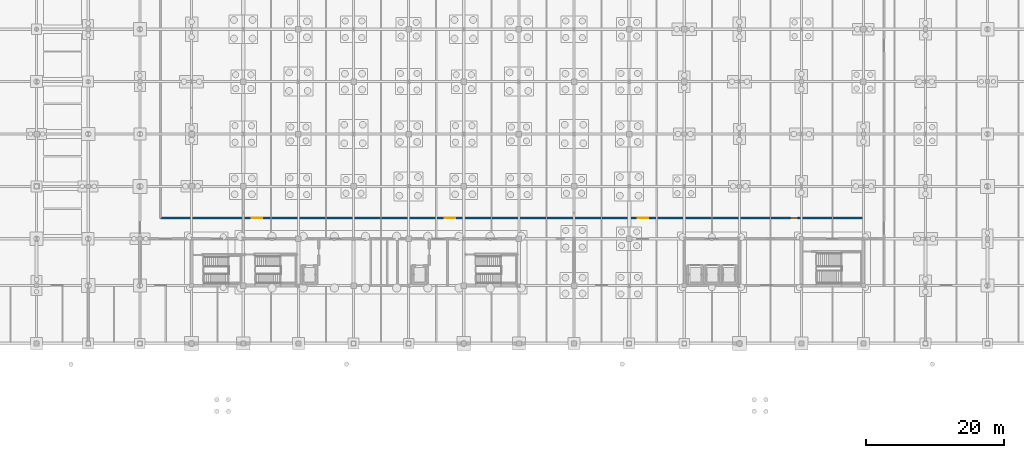
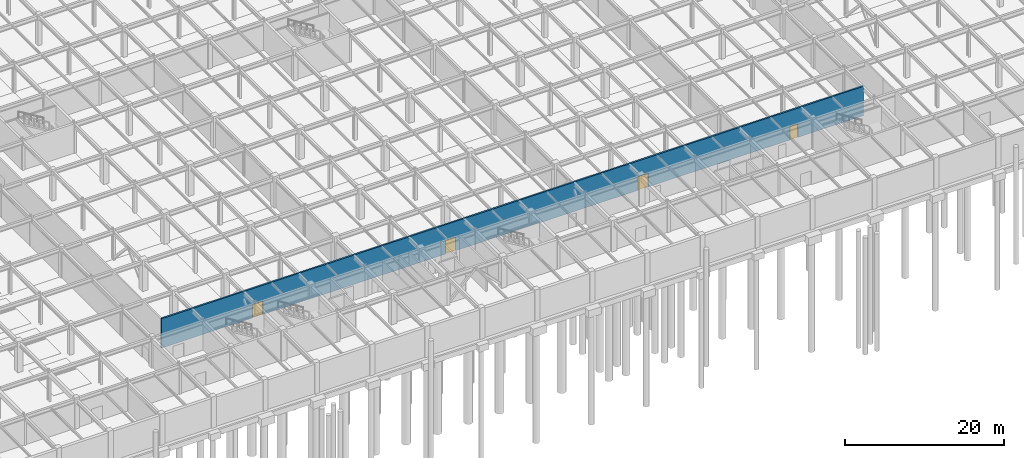
# One storey, part 41 of 53: 4 doors, 1 wall, 4 openings.
"""IFC4 building model written with IfcOpenShell, lengths in metres."""

from ifc_helpers import new_model, si_unit, direction, frame, frame_2d, origin, place, context, subcontext, project, spatial, rectangle, extrude, material, layer, layer_set, type_object, element, fill, save


model = new_model("IFC4")

# Units and contexts
model_context = context("Model", 3, precision=1e-05, world=origin(), true_north=direction((0.0, 1.0)))
body_context = subcontext(model_context, "Body", "Model", "MODEL_VIEW")
ifc_project = project(units=[si_unit("LENGTHUNIT", "METRE"), si_unit("AREAUNIT", "SQUARE_METRE"), si_unit("VOLUMEUNIT", "CUBIC_METRE"), si_unit("PLANEANGLEUNIT", "RADIAN"), si_unit("MASSUNIT", "GRAM", prefix="KILO")], contexts=[model_context])

# Site, building, storey
site_placement = place(None, origin())
site = spatial("IfcSite", under=ifc_project, at=site_placement, CompositionType="ELEMENT")
building_placement = place(site_placement, origin())
building = spatial("IfcBuilding", under=site, at=building_placement, Name="Shalkamar Park Central Library", CompositionType="ELEMENT")
storey_placement = place(building_placement, frame((0.0, 0.0, -4.800048828125)))
storey = spatial("IfcBuildingStorey", under=building, at=storey_placement, Name="B1", CompositionType="ELEMENT", Elevation=-4.800048828125)

# Wall, openings, doors
ifc_material_1 = material(Name="Reinforced fire-compartment masonry wall", Category="masonry")
ifc_layer = layer(ifc_material_1, 0.239990234375)
ifc_layer_set = layer_set([ifc_layer], Name="CompartmentWall_240")
wall_type = type_object("IfcWallType", Name="Compartment Wall 240", PredefinedType="PARTITIONING", material=ifc_layer_set)
wall_placement = place(storey_placement, frame((153.0, 258.199951171875, 0.0), z_axis=(0.0, 0.0, 1.0), x_axis=(1.0, 0.0, 0.0)))
wall = element("IfcWall", 1, at=wall_placement, inside=storey, type_object=wall_type, Name="Interior Partition WL-INT-B1-028", PredefinedType="PARTITIONING", context=body_context, shape_type="SweptSolid", body=[
    extrude(rectangle(XDim=102.0, YDim=0.239990234375, at=frame_2d((51.0, 0.0))), origin(), (0.0, 0.0, 1.0), 4.510009765625),
])
opening_1_placement = place(wall_placement, frame((13.25, 0.0, 0.0)))
opening_1 = element("IfcOpeningElement", 2, at=opening_1_placement, cuts=wall, Name="Opening DR-B1-026", PredefinedType="OPENING", context=body_context, shape_type="SweptSolid", body=[
    extrude(rectangle(XDim=1.5, YDim=2.10009765625, at=frame_2d((0.75, 1.050048828125))), frame((0.0, 0.134765625, 0.0), z_axis=(0.0, -1.0, 0.0), x_axis=(1.0, 0.0, 0.0)), (0.0, 0.0, 1.0), 0.269775390625),
])
opening_2_placement = place(wall_placement, frame((41.25, 0.0, 0.0)))
opening_2 = element("IfcOpeningElement", 3, at=opening_2_placement, cuts=wall, Name="Opening DR-B1-027", PredefinedType="OPENING", context=body_context, shape_type="SweptSolid", body=[
    extrude(rectangle(XDim=1.5, YDim=2.10009765625, at=frame_2d((0.75, 1.050048828125))), frame((0.0, 0.134765625, 0.0), z_axis=(0.0, -1.0, 0.0), x_axis=(1.0, 0.0, 0.0)), (0.0, 0.0, 1.0), 0.269775390625),
])
opening_3_placement = place(wall_placement, frame((69.25, 0.0, 0.0)))
opening_3 = element("IfcOpeningElement", 4, at=opening_3_placement, cuts=wall, Name="Opening DR-B1-028", PredefinedType="OPENING", context=body_context, shape_type="SweptSolid", body=[
    extrude(rectangle(XDim=1.5, YDim=2.10009765625, at=frame_2d((0.75, 1.050048828125))), frame((0.0, 0.134765625, 0.0), z_axis=(0.0, -1.0, 0.0), x_axis=(1.0, 0.0, 0.0)), (0.0, 0.0, 1.0), 0.269775390625),
])
opening_4_placement = place(wall_placement, frame((91.360107421875, 0.0, 0.0)))
opening_4 = element("IfcOpeningElement", 5, at=opening_4_placement, cuts=wall, Name="Opening DR-B1-029", PredefinedType="OPENING", context=body_context, shape_type="SweptSolid", body=[
    extrude(rectangle(XDim=1.10009765625, YDim=2.10009765625, at=frame_2d((0.550048828125, 1.050048828125))), frame((0.0, 0.134765625, 0.0), z_axis=(0.0, -1.0, 0.0), x_axis=(1.0, 0.0, 0.0)), (0.0, 0.0, 1.0), 0.269775390625),
])
ifc_material_2 = material(Name="Steel S355", Category="steel")
door_type_1 = type_object("IfcDoorType", Name="Fire Door Double 1500x2100", OperationType="DOUBLE_DOOR_SINGLE_SWING", PredefinedType="DOOR", material=ifc_material_2)
door_1_placement = place(opening_1_placement, origin())
door_1 = element("IfcDoor", 6, at=door_1_placement, inside=storey, type_object=door_type_1, Name="Compact Archive Vault West Door", OperationType="DOUBLE_DOOR_SINGLE_SWING", OverallHeight=2.10009765625, OverallWidth=1.5, PredefinedType="DOOR", context=body_context, shape_type="SweptSolid", body=[
    extrude(rectangle(XDim=1.5, YDim=2.10009765625, at=frame_2d((0.75, 1.050048828125))), frame((0.0, 0.02490234375, 0.0), z_axis=(0.0, -1.0, 0.0), x_axis=(1.0, 0.0, 0.0)), (0.0, 0.0, 1.0), 0.050048828125),
])
fill(opening_1, door_1)
door_2_placement = place(opening_2_placement, origin())
door_2 = element("IfcDoor", 7, at=door_2_placement, inside=storey, type_object=door_type_1, Name="Compact Archive Vault Central Door", OperationType="DOUBLE_DOOR_SINGLE_SWING", OverallHeight=2.10009765625, OverallWidth=1.5, PredefinedType="DOOR", context=body_context, shape_type="SweptSolid", body=[
    extrude(rectangle(XDim=1.5, YDim=2.10009765625, at=frame_2d((0.75, 1.050048828125))), frame((0.0, 0.02490234375, 0.0), z_axis=(0.0, -1.0, 0.0), x_axis=(1.0, 0.0, 0.0)), (0.0, 0.0, 1.0), 0.050048828125),
])
fill(opening_2, door_2)
door_3_placement = place(opening_3_placement, origin())
door_3 = element("IfcDoor", 8, at=door_3_placement, inside=storey, type_object=door_type_1, Name="Compact Archive Vault East Door", OperationType="DOUBLE_DOOR_SINGLE_SWING", OverallHeight=2.10009765625, OverallWidth=1.5, PredefinedType="DOOR", context=body_context, shape_type="SweptSolid", body=[
    extrude(rectangle(XDim=1.5, YDim=2.10009765625, at=frame_2d((0.75, 1.050048828125))), frame((0.0, 0.02490234375, 0.0), z_axis=(0.0, -1.0, 0.0), x_axis=(1.0, 0.0, 0.0)), (0.0, 0.0, 1.0), 0.050048828125),
])
fill(opening_3, door_3)
door_type_2 = type_object("IfcDoorType", Name="Fire Door Single 1100x2100", OperationType="NOTDEFINED", PredefinedType="DOOR", material=ifc_material_2)
door_4_placement = place(opening_4_placement, origin())
door_4 = element("IfcDoor", 9, at=door_4_placement, inside=storey, type_object=door_type_2, Name="Staff Cycle and Locker Room Door", OperationType="SINGLE_SWING_RIGHT", OverallHeight=2.10009765625, OverallWidth=1.10009765625, PredefinedType="DOOR", context=body_context, shape_type="SweptSolid", body=[
    extrude(rectangle(XDim=1.10009765625, YDim=2.10009765625, at=frame_2d((0.550048828125, 1.050048828125))), frame((0.0, 0.02490234375, 0.0), z_axis=(0.0, -1.0, 0.0), x_axis=(1.0, 0.0, 0.0)), (0.0, 0.0, 1.0), 0.050048828125),
])
fill(opening_4, door_4)

save(model, "model.ifc")
